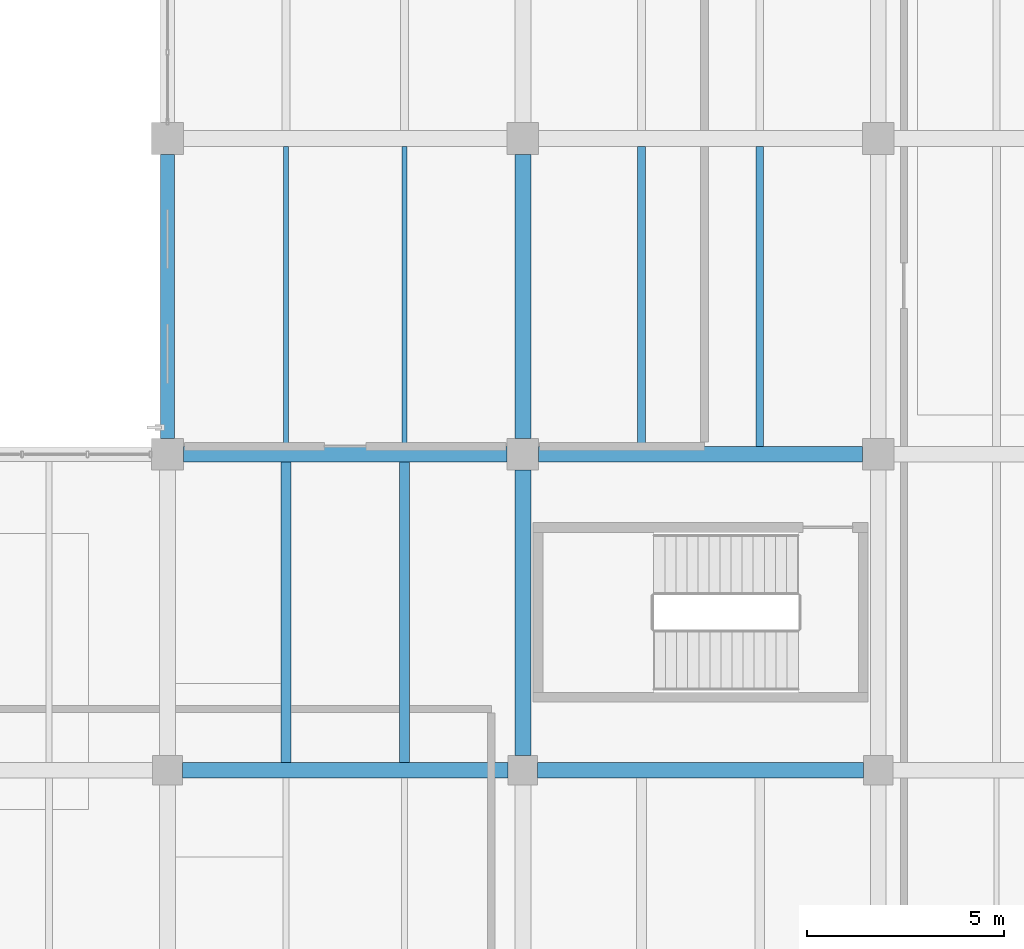
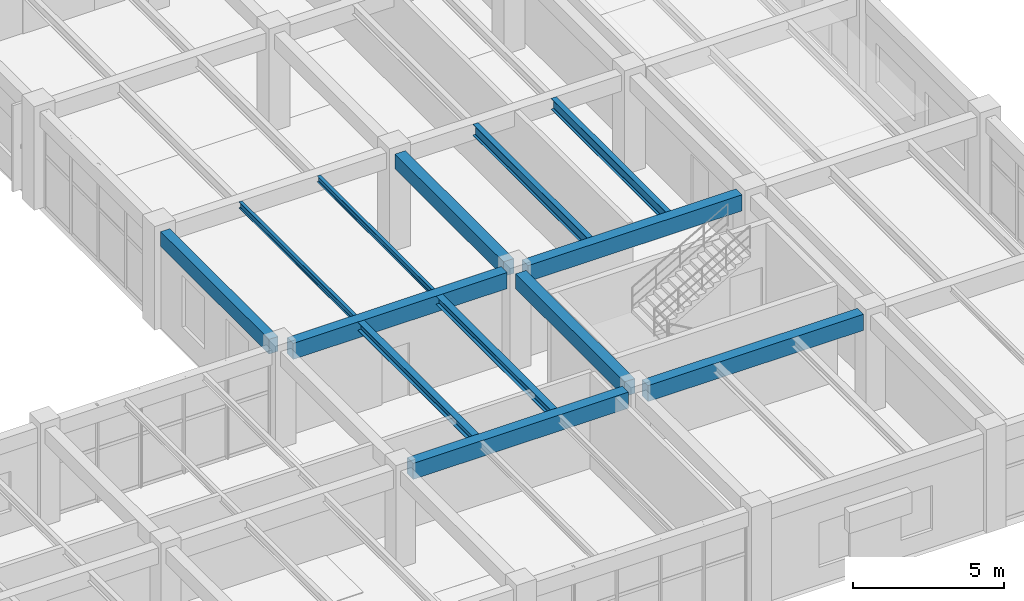
# One storey, part 90 of 148: 13 beams.
"""IFC4 building model written with IfcOpenShell, lengths in metres."""

import ifcopenshell
import ifcopenshell.guid

model = None  # the IFC model being written
_history = None  # IfcOwnerHistory: only IFC2X3 demands one
_inside = {}  # id of a spatial element -> (the spatial element, [elements in it])
_under = {}  # id of a project, library or spatial element -> (it, [spatial elements below it])
_declared = {}  # id of a project -> (the project, [libraries it declares])
_typed = {}  # id of a type object -> (the type object, [elements of that type])
_made_of = {}  # id of a material, layer set ... -> (it, [elements and type objects made of it])


def new_model(schema):
    """Start an empty IFC model of exactly this schema.

    Asked for "IFC4X3", IfcOpenShell would pick the latest addendum, in which some entities
    have other attributes; the version numbers below select the first issue.
    IFC2X3 requires an IfcOwnerHistory on every rooted entity: one is made here for all.
    """
    global model, _history
    if schema == "IFC4X3":
        model = ifcopenshell.file(schema_version=(4, 3, 0, 0))
    else:
        model = ifcopenshell.file(schema=schema)
    _inside.clear()
    _under.clear()
    _declared.clear()
    _typed.clear()
    _made_of.clear()
    _history = None
    if model.schema == "IFC2X3":
        org = make("IfcOrganization", Name="unknown")
        user = make(
            "IfcPersonAndOrganization",
            ThePerson=make("IfcPerson", FamilyName="unknown"),
            TheOrganization=org,
        )
        app = make(
            "IfcApplication",
            ApplicationDeveloper=org,
            Version="unknown",
            ApplicationFullName="unknown",
            ApplicationIdentifier="unknown",
        )
        _history = make(
            "IfcOwnerHistory",
            OwningUser=user,
            OwningApplication=app,
            ChangeAction="ADDED",
            CreationDate=0,
        )
    return model


def make(cls, **values):
    """One entity of the class cls with the attributes given. An attribute that is None is left unset."""
    return model.create_entity(
        cls, **{name: value for name, value in values.items() if value is not None}
    )


def rooted(cls, **values):
    """An entity with a GlobalId (a new one), such as an element, a storey or a relation."""
    return make(cls, GlobalId=ifcopenshell.guid.new(), OwnerHistory=_history, **values)


def si_unit(unit_type, name, prefix=None):
    """IfcSIUnit, for example si_unit("LENGTHUNIT", "METRE", prefix="MILLI")."""
    return make("IfcSIUnit", UnitType=unit_type, Prefix=prefix, Name=name)


def derived_unit(unit_type, elements):
    """IfcDerivedUnit: a product of units, each with its exponent."""
    return make(
        "IfcDerivedUnit",
        Elements=[
            make("IfcDerivedUnitElement", Unit=unit, Exponent=power)
            for unit, power in elements
        ],
        UnitType=unit_type,
    )


def assignment(units):
    """IfcUnitAssignment: the units of a project."""
    return None if units is None else make("IfcUnitAssignment", Units=units)


def point(xyz):
    """IfcCartesianPoint."""
    return None if xyz is None else make("IfcCartesianPoint", Coordinates=xyz)


def direction(xyz):
    """IfcDirection."""
    return None if xyz is None else make("IfcDirection", DirectionRatios=xyz)


def frame(location, z_axis=None, x_axis=None):
    """IfcAxis2Placement3D, a coordinate frame: its origin and axes. An axis left out is left unset."""
    return make(
        "IfcAxis2Placement3D",
        Location=point(location),
        Axis=direction(z_axis),
        RefDirection=direction(x_axis),
    )


def frame_2d(location, x_axis=None):
    """IfcAxis2Placement2D, a coordinate frame in the plane: its origin and x axis."""
    return make(
        "IfcAxis2Placement2D", Location=point(location), RefDirection=direction(x_axis)
    )


def origin():
    """The frame at (0, 0, 0) with its axes left unset."""
    return frame((0.0, 0.0, 0.0))


def origin_2d():
    """The frame at (0, 0) in the plane with its x axis left unset."""
    return frame_2d((0.0, 0.0))


def place(relative_to, where):
    """IfcLocalPlacement: puts the frame where relative to a parent placement (None: the world)."""
    return make(
        "IfcLocalPlacement", PlacementRelTo=relative_to, RelativePlacement=where
    )


def context(
    kind, dimensions, precision=None, world=None, true_north=None, identifier=None
):
    """IfcGeometricRepresentationContext, for example the 3D "Model" context."""
    return make(
        "IfcGeometricRepresentationContext",
        ContextIdentifier=identifier,
        ContextType=kind,
        CoordinateSpaceDimension=dimensions,
        Precision=precision,
        WorldCoordinateSystem=world,
        TrueNorth=true_north,
    )


def subcontext(parent, identifier, kind, view, scale=None):
    """IfcGeometricRepresentationSubContext, for example "Body" below "Model"."""
    return make(
        "IfcGeometricRepresentationSubContext",
        ContextIdentifier=identifier,
        ContextType=kind,
        ParentContext=parent,
        TargetScale=scale,
        TargetView=view,
    )


def project(units=None, contexts=None):
    """IfcProject with its units and contexts."""
    return rooted(
        "IfcProject",
        Name="project",
        RepresentationContexts=contexts,
        UnitsInContext=assignment(units),
    )


def spatial(cls, under=None, at=None, **own):
    """A site, building, storey or space (cls), placed at a placement, below another one or the project."""
    s = rooted(cls, ObjectPlacement=at, **own)
    if under is not None:
        _under.setdefault(under.id(), (under, []))[1].append(s)
    return s


def profile(cls, at=None, kind="AREA", **sizes):
    """A parametric profile (cls). Its sizes go by their IFC names, for example OverallWidth=200.0."""
    return make(cls, ProfileType=kind, Position=at, **sizes)


def rectangle(**sizes):
    """IfcRectangleProfileDef."""
    return profile("IfcRectangleProfileDef", **sizes)


def i_section(**sizes):
    """IfcIShapeProfileDef."""
    return profile("IfcIShapeProfileDef", **sizes)


def extrude(swept, where, along, depth):
    """IfcExtrudedAreaSolid: the profile swept, set in the frame where, extruded along a direction by depth."""
    return make(
        "IfcExtrudedAreaSolid",
        SweptArea=swept,
        Position=where,
        ExtrudedDirection=direction(along),
        Depth=depth,
    )


def shape(context_of_items, identifier, shape_type, items):
    """IfcShapeRepresentation: the items that make up one representation, for example the "Body"."""
    return make(
        "IfcShapeRepresentation",
        ContextOfItems=context_of_items,
        RepresentationIdentifier=identifier,
        RepresentationType=shape_type,
        Items=items,
    )


def material(Name=None, Category=None):
    """IfcMaterial."""
    return make("IfcMaterial", Name=Name, Category=Category)


def material_profile(
    of_material, cross_section, Name=None, Category=None, Priority=None
):
    """IfcMaterialProfile: a cross section and its material."""
    return make(
        "IfcMaterialProfile",
        Name=Name,
        Material=of_material,
        Profile=cross_section,
        Priority=Priority,
        Category=Category,
    )


def profile_set(profiles, Name=None, composite=None):
    """IfcMaterialProfileSet."""
    return make(
        "IfcMaterialProfileSet",
        Name=Name,
        MaterialProfiles=profiles,
        CompositeProfile=composite,
    )


def made_of(thing, what):
    """Note that an element or type object is made of a material, layer set ...; save() writes the relation."""
    if what is not None:
        _made_of.setdefault(what.id(), (what, []))[1].append(thing)
    return thing


def type_object(cls, material=None, **own):
    """A type object (cls), such as IfcWallType, which elements share."""
    return made_of(rooted(cls, **own), material)


def element(
    cls,
    number,
    at=None,
    inside=None,
    cuts=None,
    type_object=None,
    material=None,
    context=None,
    identifier="Body",
    shape_type=None,
    held_by="IfcProductDefinitionShape",
    body=None,
    shapes=None,
    **own,
):
    """One element of the class cls, such as IfcWall. Its Tag is "e" and its number.

    at: its placement. inside: the storey or other place that contains it. cuts: it is an
    opening in that element (IfcRelVoidsElement). A single representation is given by context,
    identifier, shape_type and body (its items); several are given by shapes. held_by: the class
    of the entity that holds the representations. save() writes the other relations.
    """
    e = rooted(cls, Tag="e%d" % number, ObjectPlacement=at, **own)
    if body is not None:
        shapes = [shape(context, identifier, shape_type, body)]
    if shapes is not None:
        e.Representation = make(held_by, Representations=shapes)
    if inside is not None:
        _inside.setdefault(inside.id(), (inside, []))[1].append(e)
    if cuts is not None:
        rooted(
            "IfcRelVoidsElement", RelatingBuildingElement=cuts, RelatedOpeningElement=e
        )
    if type_object is not None:
        _typed.setdefault(type_object.id(), (type_object, []))[1].append(e)
    return made_of(e, material)


def aggregate(whole, parts):
    """IfcRelAggregates: a whole, such as a stair, and the parts it consists of."""
    return rooted("IfcRelAggregates", RelatingObject=whole, RelatedObjects=parts)


def save(model, path):
    """Write the relations noted so far, then the file.

    IfcRelAggregates (storeys below a building ...), IfcRelContainedInSpatialStructure (elements
    in a storey), IfcRelDefinesByType, IfcRelAssociatesMaterial and IfcRelDeclares: one each for
    every whole, place, type object, material and project.
    """
    for whole, parts in _under.values():
        aggregate(whole, parts)
    for where, things in _inside.values():
        rooted(
            "IfcRelContainedInSpatialStructure",
            RelatedElements=things,
            RelatingStructure=where,
        )
    for kind, things in _typed.values():
        rooted("IfcRelDefinesByType", RelatedObjects=things, RelatingType=kind)
    for what, things in _made_of.values():
        rooted("IfcRelAssociatesMaterial", RelatedObjects=things, RelatingMaterial=what)
    for by, libraries in _declared.values():
        rooted("IfcRelDeclares", RelatingContext=by, RelatedDefinitions=libraries)
    model.write(path)


model = new_model("IFC4")

# Units and contexts
model_context = context("Model", 3, precision=1e-05, world=origin(), true_north=direction((0.0, 1.0)))
body_context = subcontext(model_context, "Body", "Model", "MODEL_VIEW")
ifc_project = project(units=[si_unit("LENGTHUNIT", "METRE"), si_unit("AREAUNIT", "SQUARE_METRE"), si_unit("VOLUMEUNIT", "CUBIC_METRE"), si_unit("PLANEANGLEUNIT", "RADIAN"), si_unit("MASSUNIT", "GRAM", prefix="KILO"), derived_unit("THERMALTRANSMITTANCEUNIT", [(si_unit("MASSUNIT", "GRAM", prefix="KILO"), 1), (si_unit("TIMEUNIT", "SECOND"), -3), (si_unit("THERMODYNAMICTEMPERATUREUNIT", "KELVIN"), -1)])], contexts=[model_context])

# Site, building, storey
site_placement = place(None, origin())
site = spatial("IfcSite", under=ifc_project, at=site_placement, CompositionType="ELEMENT")
building_placement = place(site_placement, origin())
building = spatial("IfcBuilding", under=site, at=building_placement, Name="Zhenchuan Archway Interchange", CompositionType="ELEMENT")
storey_placement = place(building_placement, frame((0.0, 0.0, 10.199951171875)))
storey = spatial("IfcBuildingStorey", under=building, at=storey_placement, Name="L02", CompositionType="ELEMENT", Elevation=10.199951171875)

# Beams
ifc_material_1 = material(Name="Concrete C40", Category="concrete")
ifc_material_profile_1 = material_profile(ifc_material_1, rectangle(XDim=0.39990234375, YDim=0.60009765625, at=origin_2d()), Name="RC 400x600")
ifc_profile_set_1 = profile_set([ifc_material_profile_1], Name="Concrete C40")
beam_type_1 = type_object("IfcBeamType", Name="BM_RC_400x600", PredefinedType="BEAM", material=ifc_profile_set_1)
beam_1_placement = place(storey_placement, frame((153.0, 16.375, 3.6201171875), z_axis=(0.0, 1.0, 0.0), x_axis=(-1.0, 0.0, 0.0)))
element("IfcBeam", 1, at=beam_1_placement, inside=storey, type_object=beam_type_1, Name="Beam 18:C-D (L02)", PredefinedType="BEAM", context=body_context, shape_type="SweptSolid", body=[
    extrude(rectangle(XDim=0.39990234375, YDim=0.60009765625, at=origin_2d()), origin(), (0.0, 0.0, 1.0), 7.22509765625),
])
beam_2_placement = place(storey_placement, frame((153.0, 24.39990234375, 3.6201171875), z_axis=(0.0, 1.0, 0.0), x_axis=(-1.0, 0.0, 0.0)))
element("IfcBeam", 2, at=beam_2_placement, inside=storey, type_object=beam_type_1, Name="Beam 18:D-E (L02)", PredefinedType="BEAM", context=body_context, shape_type="SweptSolid", body=[
    extrude(rectangle(XDim=0.39990234375, YDim=0.60009765625, at=origin_2d()), origin(), (0.0, 0.0, 1.0), 7.2001953125),
])
ifc_material_profile_2 = material_profile(ifc_material_1, rectangle(XDim=0.39990234375, YDim=0.64990234375, at=origin_2d()), Name="RC 400x650")
ifc_profile_set_2 = profile_set([ifc_material_profile_2], Name="Concrete C40")
beam_type_2 = type_object("IfcBeamType", Name="BM_RC_400x650", PredefinedType="BEAM", material=ifc_profile_set_2)
for number, where, z_axis, x_axis, name in (
    (3, (144.375, 16.0, 3.594970703125), (1.0, 0.0, 0.0), (0.0, 1.0, 0.0), "Beam C:17-18 (L02)"),
    (4, (153.375, 16.0, 3.594970703125), (1.0, 0.0, 0.0), (0.0, 1.0, 0.0), "Beam C:18-19 (L02)"),
):
    element("IfcBeam", number, at=place(storey_placement, frame(where, z_axis=z_axis, x_axis=x_axis)), inside=storey, type_object=beam_type_2, Name=name, PredefinedType="BEAM", context=body_context, shape_type="SweptSolid", body=[
        extrude(rectangle(XDim=0.39990234375, YDim=0.64990234375, at=origin_2d()), origin(), (0.0, 0.0, 1.0), 8.25),
    ])
for number, where, z_axis, x_axis, name in (
    (5, (144.39990234375, 24.0, 3.594970703125), (1.0, 0.0, 0.0), (0.0, 1.0, 0.0), "Beam D:17-18 (L02)"),
    (6, (153.39990234375, 24.0, 3.594970703125), (1.0, 0.0, 0.0), (0.0, 1.0, 0.0), "Beam D:18-19 (L02)"),
):
    element("IfcBeam", number, at=place(storey_placement, frame(where, z_axis=z_axis, x_axis=x_axis)), inside=storey, type_object=beam_type_2, Name=name, PredefinedType="BEAM", context=body_context, shape_type="SweptSolid", body=[
        extrude(rectangle(XDim=0.39990234375, YDim=0.64990234375, at=origin_2d()), origin(), (0.0, 0.0, 1.0), 8.2001953125),
    ])
ifc_material_2 = material(Name="Steel Q355", Category="steel")
ifc_material_profile_3 = material_profile(ifc_material_2, i_section(OverallWidth=0.25, OverallDepth=0.340087890625, WebThickness=0.009033203125, FlangeThickness=0.013916015625, FilletRadius=0.01806640625, at=origin_2d()), Name="HM 340x250")
ifc_profile_set_3 = profile_set([ifc_material_profile_3], Name="Steel Q355")
beam_type_3 = type_object("IfcBeamType", Name="JST_STL_HM340", PredefinedType="JOIST", material=ifc_profile_set_3)
for number, where, z_axis, x_axis, name in (
    (7, (147.0, 16.199951171875, 3.75), (0.0, 1.0, 0.0), (-1.0, 0.0, 0.0), "Secondary joist 17-18/C-D #1 (L02)"),
    (8, (150.0, 16.199951171875, 3.75), (0.0, 1.0, 0.0), (-1.0, 0.0, 0.0), "Secondary joist 17-18/C-D #2 (L02)"),
):
    element("IfcBeam", number, at=place(storey_placement, frame(where, z_axis=z_axis, x_axis=x_axis)), inside=storey, type_object=beam_type_3, Name=name, PredefinedType="JOIST", context=body_context, shape_type="SweptSolid", body=[
        extrude(i_section(OverallWidth=0.25, OverallDepth=0.340087890625, WebThickness=0.009033203125, FlangeThickness=0.013916015625, FilletRadius=0.01806640625, at=origin_2d()), origin(), (0.0, 0.0, 1.0), 7.60009765625),
    ])
ifc_material_profile_4 = material_profile(ifc_material_2, i_section(OverallWidth=0.125, OverallDepth=0.25, WebThickness=0.006103515625, FlangeThickness=0.009033203125, FilletRadius=0.011962890625, at=origin_2d()), Name="HN 250x125")
ifc_profile_set_4 = profile_set([ifc_material_profile_4], Name="Steel Q355")
beam_type_4 = type_object("IfcBeamType", Name="JST_STL_HN250", PredefinedType="JOIST", material=ifc_profile_set_4)
for number, where, z_axis, x_axis, name in (
    (9, (147.0, 24.199951171875, 3.795166015625), (0.0, 1.0, 0.0), (-1.0, 0.0, 0.0), "Secondary joist 17-18/D-E #1 (L02)"),
    (10, (150.0, 24.199951171875, 3.795166015625), (0.0, 1.0, 0.0), (-1.0, 0.0, 0.0), "Secondary joist 17-18/D-E #2 (L02)"),
):
    element("IfcBeam", number, at=place(storey_placement, frame(where, z_axis=z_axis, x_axis=x_axis)), inside=storey, type_object=beam_type_4, Name=name, PredefinedType="JOIST", context=body_context, shape_type="SweptSolid", body=[
        extrude(i_section(OverallWidth=0.125, OverallDepth=0.25, WebThickness=0.006103515625, FlangeThickness=0.009033203125, FilletRadius=0.011962890625, at=origin_2d()), origin(), (0.0, 0.0, 1.0), 7.60009765625),
    ])
ifc_material_profile_5 = material_profile(ifc_material_2, i_section(OverallWidth=0.199951171875, OverallDepth=0.449951171875, WebThickness=0.009033203125, FlangeThickness=0.013916015625, FilletRadius=0.01806640625, at=origin_2d()), Name="HN 450x200")
ifc_profile_set_5 = profile_set([ifc_material_profile_5], Name="Steel Q355")
beam_type_5 = type_object("IfcBeamType", Name="JST_STL_HN450", PredefinedType="JOIST", material=ifc_profile_set_5)
for number, where, z_axis, x_axis, name in (
    (11, (156.0, 24.199951171875, 3.695068359375), (0.0, 1.0, 0.0), (-1.0, 0.0, 0.0), "Secondary joist 18-19/D-E #1 (L02)"),
    (12, (159.0, 24.199951171875, 3.695068359375), (0.0, 1.0, 0.0), (-1.0, 0.0, 0.0), "Secondary joist 18-19/D-E #2 (L02)"),
):
    element("IfcBeam", number, at=place(storey_placement, frame(where, z_axis=z_axis, x_axis=x_axis)), inside=storey, type_object=beam_type_5, Name=name, PredefinedType="JOIST", context=body_context, shape_type="SweptSolid", body=[
        extrude(i_section(OverallWidth=0.199951171875, OverallDepth=0.449951171875, WebThickness=0.009033203125, FlangeThickness=0.013916015625, FilletRadius=0.01806640625, at=origin_2d()), origin(), (0.0, 0.0, 1.0), 7.60009765625),
    ])
ifc_material_profile_6 = material_profile(ifc_material_1, rectangle(XDim=0.35009765625, YDim=0.60009765625, at=origin_2d()), Name="RC 350x600")
ifc_profile_set_6 = profile_set([ifc_material_profile_6], Name="Concrete C40")
beam_type_6 = type_object("IfcBeamType", Name="SP_RC_350x600", PredefinedType="SPANDREL", material=ifc_profile_set_6)
beam_3_placement = place(storey_placement, frame((144.0, 24.39990234375, 3.6201171875), z_axis=(0.0, 1.0, 0.0), x_axis=(-1.0, 0.0, 0.0)))
element("IfcBeam", 13, at=beam_3_placement, inside=storey, type_object=beam_type_6, Name="Beam 17:D-E (L02)", PredefinedType="SPANDREL", context=body_context, shape_type="SweptSolid", body=[
    extrude(rectangle(XDim=0.35009765625, YDim=0.60009765625, at=origin_2d()), origin(), (0.0, 0.0, 1.0), 7.2001953125),
])

save(model, "model.ifc")
